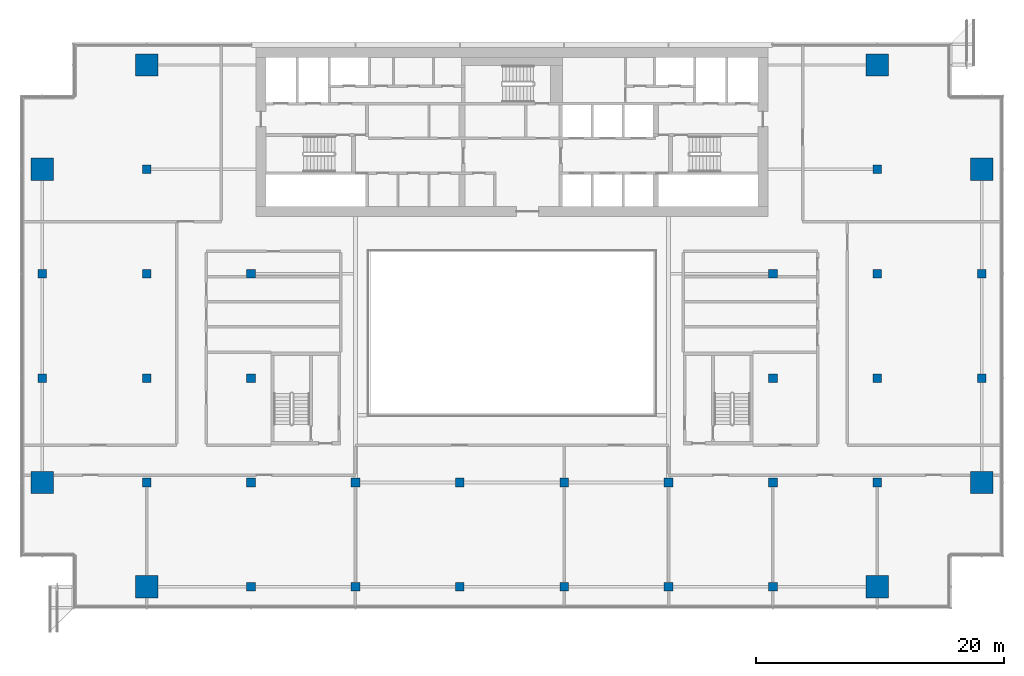
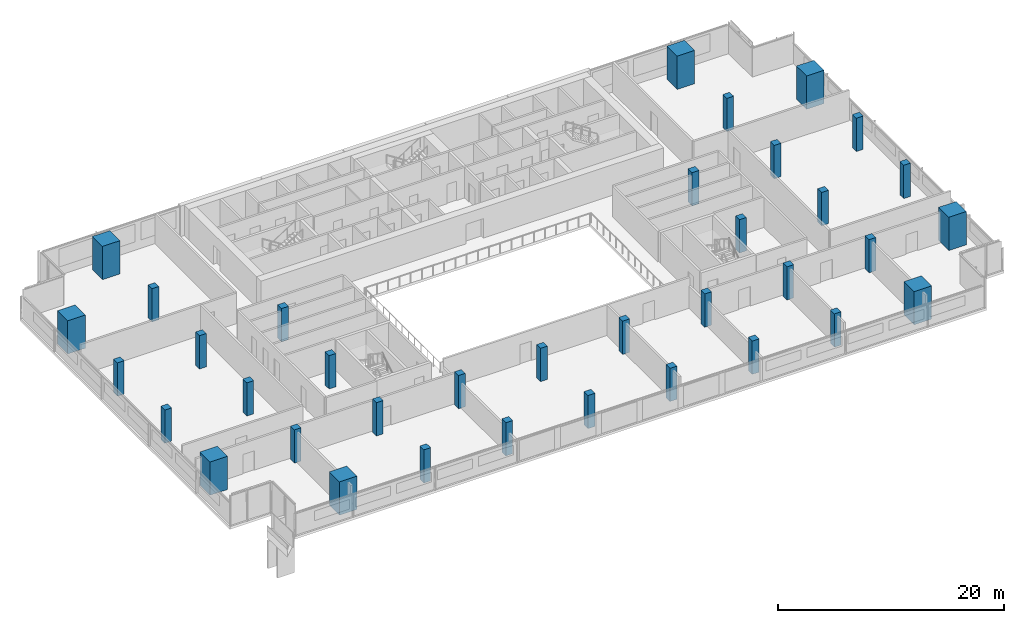
# One storey, part 1 of 24: 36 columns.
"""IFC4 building model written with IfcOpenShell, lengths in metres."""

from ifc_helpers import new_model, si_unit, direction, frame, origin, origin_2d, place, context, subcontext, project, spatial, rectangle, extrude, material, material_profile, profile_set, type_object, element, save


model = new_model("IFC4")

# Units and contexts
model_context = context("Model", 3, precision=1e-05, world=origin(), true_north=direction((0.0, 1.0)))
body_context = subcontext(model_context, "Body", "Model", "MODEL_VIEW")
ifc_project = project(units=[si_unit("LENGTHUNIT", "METRE"), si_unit("AREAUNIT", "SQUARE_METRE"), si_unit("VOLUMEUNIT", "CUBIC_METRE"), si_unit("PLANEANGLEUNIT", "RADIAN"), si_unit("MASSUNIT", "GRAM", prefix="KILO")], contexts=[model_context])

# Site, building, storey
site_placement = place(None, origin())
site = spatial("IfcSite", under=ifc_project, at=site_placement, CompositionType="ELEMENT")
building_placement = place(site_placement, origin())
building = spatial("IfcBuilding", under=site, at=building_placement, Name="Saffron Gate Tower", CompositionType="ELEMENT")
storey_placement = place(building_placement, frame((0.0, 0.0, 190.64990234375)))
storey = spatial("IfcBuildingStorey", under=building, at=storey_placement, Name="L47", CompositionType="ELEMENT", Elevation=190.64990234375)

# Columns
ifc_material_1 = material(Name="Concrete C50", Category="concrete")
ifc_material_profile_1 = material_profile(ifc_material_1, rectangle(XDim=0.699951171875, YDim=0.699951171875, at=origin_2d()))
ifc_profile_set_1 = profile_set([ifc_material_profile_1], Name="Concrete C50")
column_type_1 = type_object("IfcColumnType", Name="C3 RC 700x700 CONCRETE C50", PredefinedType="COLUMN", material=ifc_profile_set_1)
for number, where, z_axis, x_axis, name in (
    (1, (49.800048828125, 48.60009765625, 0.0), (0.0, 0.0, 1.0), (1.0, 0.0, 0.0), "C3 COLUMN X1-C"),
    (2, (49.800048828125, 57.0, 0.0), (0.0, 0.0, 1.0), (1.0, 0.0, 0.0), "C3 COLUMN X1-D"),
    (3, (58.199951171875, 40.199951171875, 0.0), (0.0, 0.0, 1.0), (1.0, 0.0, 0.0), "C3 COLUMN X2-B"),
    (4, (58.199951171875, 48.60009765625, 0.0), (0.0, 0.0, 1.0), (1.0, 0.0, 0.0), "C3 COLUMN X2-C"),
    (5, (58.199951171875, 57.0, 0.0), (0.0, 0.0, 1.0), (1.0, 0.0, 0.0), "C3 COLUMN X2-D"),
    (6, (58.199951171875, 65.39990234375, 0.0), (0.0, 0.0, 1.0), (1.0, 0.0, 0.0), "C3 COLUMN X2-E"),
    (7, (66.60009765625, 31.800048828125, 0.0), (0.0, 0.0, 1.0), (1.0, 0.0, 0.0), "C3 COLUMN X3-A"),
    (8, (66.60009765625, 40.199951171875, 0.0), (0.0, 0.0, 1.0), (1.0, 0.0, 0.0), "C3 COLUMN X3-B"),
    (9, (66.60009765625, 48.60009765625, 0.0), (0.0, 0.0, 1.0), (1.0, 0.0, 0.0), "C3 COLUMN X3-C"),
    (10, (66.60009765625, 57.0, 0.0), (0.0, 0.0, 1.0), (1.0, 0.0, 0.0), "C3 COLUMN X3-D"),
    (11, (75.0, 31.800048828125, 0.0), (0.0, 0.0, 1.0), (1.0, 0.0, 0.0), "C3 COLUMN X4-A"),
    (12, (75.0, 40.199951171875, 0.0), (0.0, 0.0, 1.0), (1.0, 0.0, 0.0), "C3 COLUMN X4-B"),
    (13, (83.39990234375, 31.800048828125, 0.0), (0.0, 0.0, 1.0), (1.0, 0.0, 0.0), "C3 COLUMN X5-A"),
    (14, (83.39990234375, 40.199951171875, 0.0), (0.0, 0.0, 1.0), (1.0, 0.0, 0.0), "C3 COLUMN X5-B"),
    (15, (91.800048828125, 31.800048828125, 0.0), (0.0, 0.0, 1.0), (1.0, 0.0, 0.0), "C3 COLUMN X6-A"),
    (16, (91.800048828125, 40.199951171875, 0.0), (0.0, 0.0, 1.0), (1.0, 0.0, 0.0), "C3 COLUMN X6-B"),
    (17, (100.199951171875, 31.800048828125, 0.0), (0.0, 0.0, 1.0), (1.0, 0.0, 0.0), "C3 COLUMN X7-A"),
    (18, (100.199951171875, 40.199951171875, 0.0), (0.0, 0.0, 1.0), (1.0, 0.0, 0.0), "C3 COLUMN X7-B"),
    (19, (108.60009765625, 31.800048828125, 0.0), (0.0, 0.0, 1.0), (1.0, 0.0, 0.0), "C3 COLUMN X8-A"),
    (20, (108.60009765625, 40.199951171875, 0.0), (0.0, 0.0, 1.0), (1.0, 0.0, 0.0), "C3 COLUMN X8-B"),
    (21, (108.60009765625, 48.60009765625, 0.0), (0.0, 0.0, 1.0), (1.0, 0.0, 0.0), "C3 COLUMN X8-C"),
    (22, (108.60009765625, 57.0, 0.0), (0.0, 0.0, 1.0), (1.0, 0.0, 0.0), "C3 COLUMN X8-D"),
    (23, (117.0, 40.199951171875, 0.0), (0.0, 0.0, 1.0), (1.0, 0.0, 0.0), "C3 COLUMN X9-B"),
    (24, (117.0, 48.60009765625, 0.0), (0.0, 0.0, 1.0), (1.0, 0.0, 0.0), "C3 COLUMN X9-C"),
    (25, (117.0, 57.0, 0.0), (0.0, 0.0, 1.0), (1.0, 0.0, 0.0), "C3 COLUMN X9-D"),
    (26, (117.0, 65.39990234375, 0.0), (0.0, 0.0, 1.0), (1.0, 0.0, 0.0), "C3 COLUMN X9-E"),
    (27, (125.39990234375, 48.60009765625, 0.0), (0.0, 0.0, 1.0), (1.0, 0.0, 0.0), "C3 COLUMN X10-C"),
    (28, (125.39990234375, 57.0, 0.0), (0.0, 0.0, 1.0), (1.0, 0.0, 0.0), "C3 COLUMN X10-D"),
):
    element("IfcColumn", number, at=place(storey_placement, frame(where, z_axis=z_axis, x_axis=x_axis)), inside=storey, type_object=column_type_1, Name=name, PredefinedType="COLUMN", context=body_context, shape_type="SweptSolid", body=[
        extrude(rectangle(XDim=0.699951171875, YDim=0.699951171875, at=origin_2d()), origin(), (0.0, 0.0, 1.0), 3.60009765625),
    ])
ifc_material_2 = material(Name="Concrete C70", Category="concrete")
ifc_material_profile_2 = material_profile(ifc_material_2, rectangle(XDim=1.800048828125, YDim=1.800048828125, at=origin_2d()))
ifc_profile_set_2 = profile_set([ifc_material_profile_2], Name="Concrete C70")
column_type_2 = type_object("IfcColumnType", Name="MC2 RC 1800x1800 CONCRETE C70", PredefinedType="COLUMN", material=ifc_profile_set_2)
for number, where, z_axis, x_axis, name in (
    (29, (49.800048828125, 40.199951171875, 0.0), (0.0, 0.0, 1.0), (1.0, 0.0, 0.0), "MC2 MEGA COLUMN X1-B"),
    (30, (49.800048828125, 65.39990234375, 0.0), (0.0, 0.0, 1.0), (1.0, 0.0, 0.0), "MC2 MEGA COLUMN X1-E"),
    (31, (58.199951171875, 31.800048828125, 0.0), (0.0, 0.0, 1.0), (1.0, 0.0, 0.0), "MC2 MEGA COLUMN X2-A"),
    (32, (58.199951171875, 73.800048828125, 0.0), (0.0, 0.0, 1.0), (1.0, 0.0, 0.0), "MC2 MEGA COLUMN X2-F"),
    (33, (117.0, 31.800048828125, 0.0), (0.0, 0.0, 1.0), (1.0, 0.0, 0.0), "MC2 MEGA COLUMN X9-A"),
    (34, (117.0, 73.800048828125, 0.0), (0.0, 0.0, 1.0), (1.0, 0.0, 0.0), "MC2 MEGA COLUMN X9-F"),
    (35, (125.39990234375, 40.199951171875, 0.0), (0.0, 0.0, 1.0), (1.0, 0.0, 0.0), "MC2 MEGA COLUMN X10-B"),
    (36, (125.39990234375, 65.39990234375, 0.0), (0.0, 0.0, 1.0), (1.0, 0.0, 0.0), "MC2 MEGA COLUMN X10-E"),
):
    element("IfcColumn", number, at=place(storey_placement, frame(where, z_axis=z_axis, x_axis=x_axis)), inside=storey, type_object=column_type_2, Name=name, PredefinedType="COLUMN", context=body_context, shape_type="SweptSolid", body=[
        extrude(rectangle(XDim=1.800048828125, YDim=1.800048828125, at=origin_2d()), origin(), (0.0, 0.0, 1.0), 3.60009765625),
    ])

save(model, "model.ifc")
